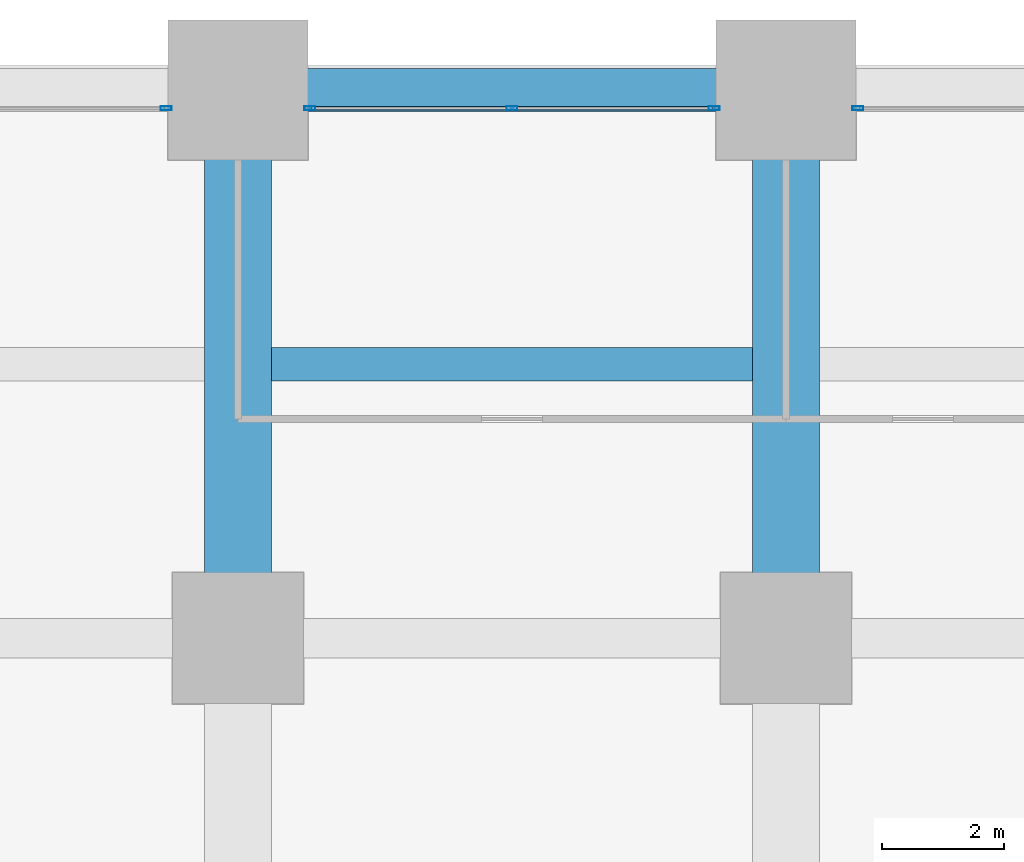
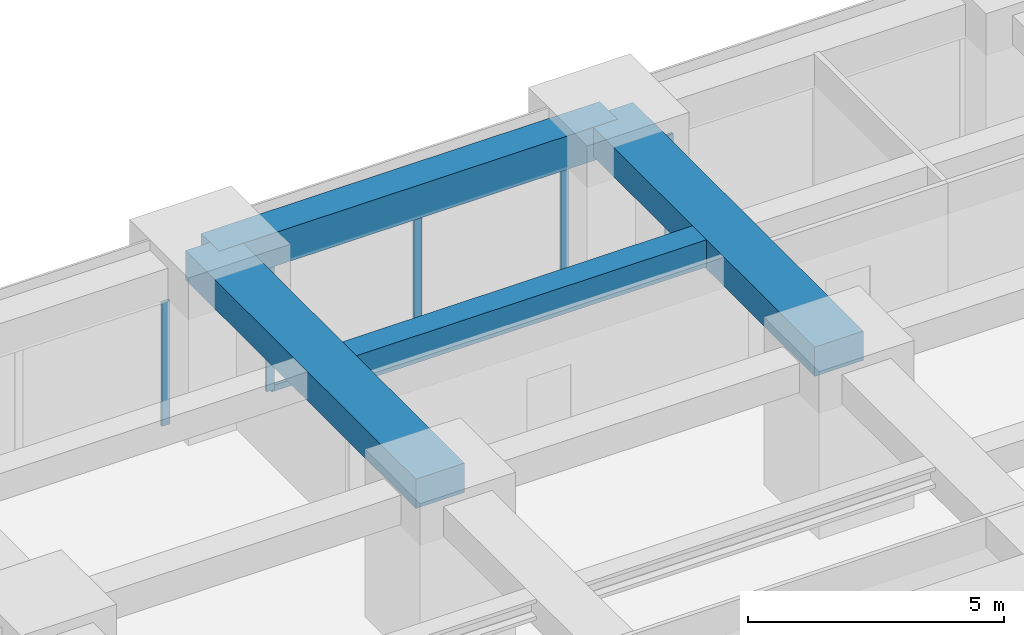
# One storey, part 35 of 44: 6 members, 4 beams, 3 elements without a shape of their own.
"""IFC4 building model written with IfcOpenShell, lengths in metres."""

from ifc_helpers import new_model, si_unit, direction, frame, origin, origin_2d, place, context, subcontext, project, spatial, rectangle, hollow_rectangle, extrude, material, material_profile, profile_set, type_object, element, aggregate, save


model = new_model("IFC4")

# Units and contexts
model_context = context("Model", 3, precision=1e-05, world=origin(), true_north=direction((0.0, 1.0)))
body_context = subcontext(model_context, "Body", "Model", "MODEL_VIEW")
ifc_project = project(units=[si_unit("LENGTHUNIT", "METRE"), si_unit("AREAUNIT", "SQUARE_METRE"), si_unit("VOLUMEUNIT", "CUBIC_METRE"), si_unit("PLANEANGLEUNIT", "RADIAN"), si_unit("MASSUNIT", "GRAM", prefix="KILO")], contexts=[model_context])

# Site, building, storey
site_placement = place(None, origin())
site = spatial("IfcSite", under=ifc_project, at=site_placement, CompositionType="ELEMENT")
building_placement = place(site_placement, origin())
building = spatial("IfcBuilding", under=site, at=building_placement, Name="Zorevar Civic Tower", CompositionType="ELEMENT")
storey_placement = place(building_placement, frame((0.0, 0.0, 55.800048828125)))
storey = spatial("IfcBuildingStorey", under=building, at=storey_placement, Name="L13", CompositionType="ELEMENT", Elevation=55.800048828125)

# Beams
ifc_material_1 = material(Name="Concrete C50/60", Category="concrete")
ifc_material_profile_1 = material_profile(ifc_material_1, rectangle(XDim=1.10009765625, YDim=0.699951171875, at=origin_2d()), Name="RC 1100x700")
ifc_profile_set_1 = profile_set([ifc_material_profile_1], Name="Concrete C50/60")
beam_type_1 = type_object("IfcBeamType", Name="Beam RC 1100x700", PredefinedType="BEAM", material=ifc_profile_set_1)
for number, where, z_axis, x_axis, name in (
    (1, (36.0, 45.0, 3.39990234375), (0.0, 1.0, 0.0), (-1.0, 0.0, 0.0), "Girder L14"),
    (2, (45.0, 45.0, 3.39990234375), (0.0, 1.0, 0.0), (-1.0, 0.0, 0.0), "Girder L14"),
):
    element("IfcBeam", number, at=place(storey_placement, frame(where, z_axis=z_axis, x_axis=x_axis)), inside=storey, type_object=beam_type_1, Name=name, PredefinedType="BEAM", context=body_context, shape_type="SweptSolid", body=[
        extrude(rectangle(XDim=1.10009765625, YDim=0.699951171875, at=origin_2d()), origin(), (0.0, 0.0, 1.0), 9.0),
    ])
ifc_material_2 = material(Name="Concrete C50/60", Category="concrete")
ifc_material_profile_2 = material_profile(ifc_material_2, rectangle(XDim=0.550048828125, YDim=0.64990234375, at=origin_2d()), Name="RC 550x650")
ifc_profile_set_2 = profile_set([ifc_material_profile_2], Name="Concrete C50/60")
beam_type_2 = type_object("IfcBeamType", Name="Beam RC 550x650", PredefinedType="BEAM", material=ifc_profile_set_2)
beam_1_placement = place(storey_placement, frame((36.550048828125, 49.5, 3.425048828125), z_axis=(1.0, 0.0, 0.0), x_axis=(0.0, 1.0, 0.0)))
element("IfcBeam", 3, at=beam_1_placement, inside=storey, type_object=beam_type_2, Name="Secondary beam L14", PredefinedType="BEAM", context=body_context, shape_type="SweptSolid", body=[
    extrude(rectangle(XDim=0.550048828125, YDim=0.64990234375, at=origin_2d()), origin(), (0.0, 0.0, 1.0), 7.89990234375),
])

# Curtain wall, member
ifc_material_3 = material(Name="Dark grey solar-control glass in black aluminium frame", Category="aluminium")
curtain_wall_type = type_object("IfcCurtainWallType", Name="Curtain wall CW2 low zone", PredefinedType="NOTDEFINED", material=ifc_material_3)
curtain_wall_1_placement = place(storey_placement, origin())
curtain_wall_1 = element("IfcCurtainWall", 4, at=curtain_wall_1_placement, inside=storey, type_object=curtain_wall_type, Name="CW2 L13", PredefinedType="NOTDEFINED")
ifc_material_4 = material(Name="Aluminium, black anodised", Category="aluminium")
ifc_material_profile_3 = material_profile(ifc_material_4, hollow_rectangle(XDim=0.06005859375, YDim=0.179931640625, WallThickness=0.00390625, at=origin_2d()), Name="AL 180x60x4")
ifc_profile_set_3 = profile_set([ifc_material_profile_3], Name="Aluminium, black anodised")
member_type_1 = type_object("IfcMemberType", Name="CW2 mullion AL 180x60x4", PredefinedType="MULLION", material=ifc_profile_set_3)
member_1_placement = place(storey_placement, frame((34.820068359375, 53.699951171875, 0.0), z_axis=(0.0, 0.0, 1.0), x_axis=(0.0, 1.0, 0.0)))
member_1 = element("IfcMember", 5, at=member_1_placement, type_object=member_type_1, Name="CW2 mullion 3", PredefinedType="MULLION", context=body_context, shape_type="SweptSolid", body=[
    extrude(hollow_rectangle(XDim=0.06005859375, YDim=0.179931640625, WallThickness=0.00390625, at=origin_2d()), origin(), (0.0, 0.0, 1.0), 2.949951171875),
])
aggregate(curtain_wall_1, [member_1])

# Curtain wall, members
curtain_wall_2_placement = place(storey_placement, origin())
curtain_wall_2 = element("IfcCurtainWall", 6, at=curtain_wall_2_placement, inside=storey, type_object=curtain_wall_type, Name="CW2 L13", PredefinedType="NOTDEFINED")
member_2_placement = place(storey_placement, frame((37.179931640625, 53.699951171875, 0.0), z_axis=(0.0, 0.0, 1.0), x_axis=(0.0, 1.0, 0.0)))
member_2 = element("IfcMember", 7, at=member_2_placement, type_object=member_type_1, Name="CW2 mullion 1", PredefinedType="MULLION", context=body_context, shape_type="SweptSolid", body=[
    extrude(hollow_rectangle(XDim=0.06005859375, YDim=0.179931640625, WallThickness=0.00390625, at=origin_2d()), origin(), (0.0, 0.0, 1.0), 2.949951171875),
])
member_3_placement = place(storey_placement, frame((40.5, 53.699951171875, 0.06005859375), z_axis=(0.0, 0.0, 1.0), x_axis=(0.0, 1.0, 0.0)))
member_3 = element("IfcMember", 8, at=member_3_placement, type_object=member_type_1, Name="CW2 mullion 2", PredefinedType="MULLION", context=body_context, shape_type="SweptSolid", body=[
    extrude(hollow_rectangle(XDim=0.06005859375, YDim=0.179931640625, WallThickness=0.00390625, at=origin_2d()), origin(), (0.0, 0.0, 1.0), 2.889892578125),
])
member_4_placement = place(storey_placement, frame((43.820068359375, 53.699951171875, 0.0), z_axis=(0.0, 0.0, 1.0), x_axis=(0.0, 1.0, 0.0)))
member_4 = element("IfcMember", 9, at=member_4_placement, type_object=member_type_1, Name="CW2 mullion 3", PredefinedType="MULLION", context=body_context, shape_type="SweptSolid", body=[
    extrude(hollow_rectangle(XDim=0.06005859375, YDim=0.179931640625, WallThickness=0.00390625, at=origin_2d()), origin(), (0.0, 0.0, 1.0), 2.949951171875),
])

# Curtain wall, member
curtain_wall_3_placement = place(storey_placement, origin())
curtain_wall_3 = element("IfcCurtainWall", 10, at=curtain_wall_3_placement, inside=storey, type_object=curtain_wall_type, Name="CW2 L13", PredefinedType="NOTDEFINED")
member_5_placement = place(storey_placement, frame((46.179931640625, 53.699951171875, 0.0), z_axis=(0.0, 0.0, 1.0), x_axis=(0.0, 1.0, 0.0)))
member_5 = element("IfcMember", 11, at=member_5_placement, type_object=member_type_1, Name="CW2 mullion 1", PredefinedType="MULLION", context=body_context, shape_type="SweptSolid", body=[
    extrude(hollow_rectangle(XDim=0.06005859375, YDim=0.179931640625, WallThickness=0.00390625, at=origin_2d()), origin(), (0.0, 0.0, 1.0), 2.949951171875),
])
aggregate(curtain_wall_3, [member_5])

# Member
ifc_material_5 = material(Name="Aluminium, black anodised", Category="aluminium")
ifc_material_profile_4 = material_profile(ifc_material_5, hollow_rectangle(XDim=0.06005859375, YDim=0.14990234375, WallThickness=0.00390625, at=origin_2d()), Name="AL 150x60x4")
ifc_profile_set_4 = profile_set([ifc_material_profile_4], Name="Aluminium, black anodised")
member_type_2 = type_object("IfcMemberType", Name="CW2 transom AL 150x60x4", PredefinedType="USERDEFINED", material=ifc_profile_set_4)
member_6_placement = place(storey_placement, frame((37.2099609375, 53.699951171875, 0.030029296875), z_axis=(1.0, 0.0, 0.0), x_axis=(0.0, 1.0, 0.0)))
member_6 = element("IfcMember", 12, at=member_6_placement, type_object=member_type_2, Name="CW2 sill transom", ObjectType="TRANSOM", PredefinedType="USERDEFINED", context=body_context, shape_type="SweptSolid", body=[
    extrude(hollow_rectangle(XDim=0.06005859375, YDim=0.14990234375, WallThickness=0.00390625, at=origin_2d()), origin(), (0.0, 0.0, 1.0), 6.580078125),
])

aggregate(curtain_wall_2, [member_2, member_3, member_4, member_6])

# Beam
ifc_material_6 = material(Name="Concrete C50/60", Category="concrete")
ifc_material_profile_5 = material_profile(ifc_material_6, rectangle(XDim=0.699951171875, YDim=0.800048828125, at=origin_2d()), Name="RC 700x800")
ifc_profile_set_5 = profile_set([ifc_material_profile_5], Name="Concrete C50/60")
beam_type_3 = type_object("IfcBeamType", Name="Edge beam RC 700x800", PredefinedType="SPANDREL", material=ifc_profile_set_5)
beam_2_placement = place(storey_placement, frame((36.0, 54.0, 3.349853515625), z_axis=(1.0, 0.0, 0.0), x_axis=(0.0, 1.0, 0.0)))
element("IfcBeam", 13, at=beam_2_placement, inside=storey, type_object=beam_type_3, Name="Edge beam L14", PredefinedType="SPANDREL", context=body_context, shape_type="SweptSolid", body=[
    extrude(rectangle(XDim=0.699951171875, YDim=0.800048828125, at=origin_2d()), origin(), (0.0, 0.0, 1.0), 9.0),
])

save(model, "model.ifc")
